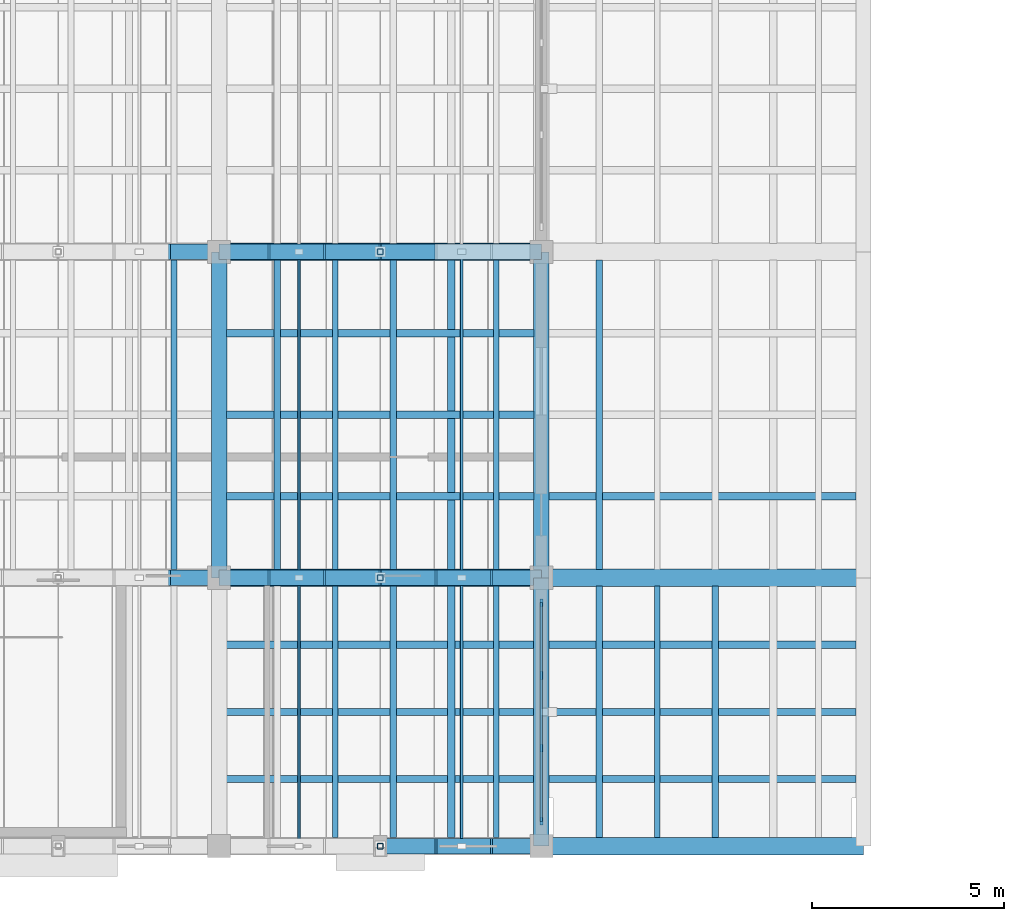
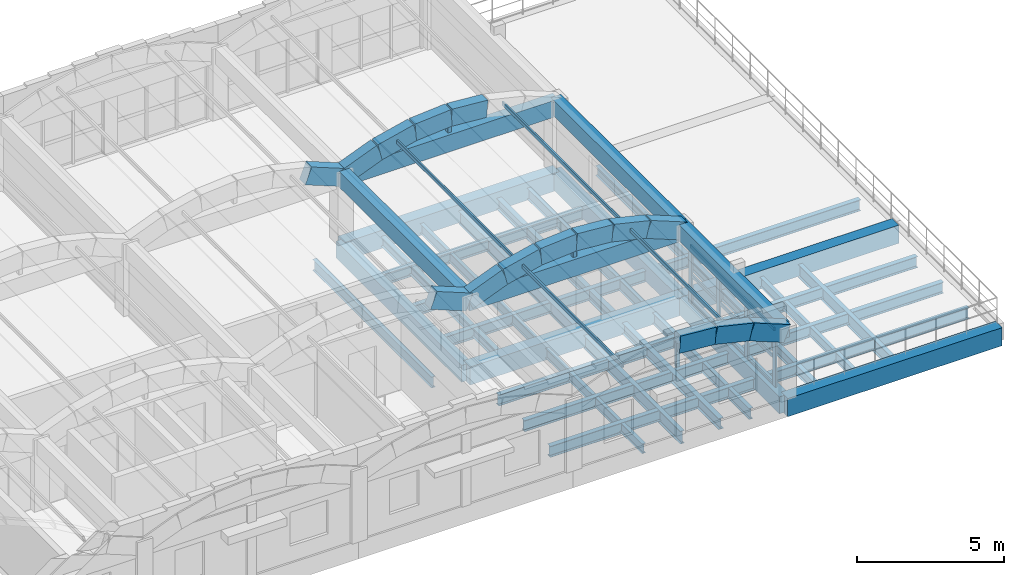
# One storey, part 14 of 40: 36 beams, 29 members, 1 element without a shape of its own.
"""IFC4 building model written with IfcOpenShell, lengths in metres."""

from ifc_helpers import new_model, si_unit, direction, frame, origin, origin_2d, place, context, subcontext, project, spatial, rectangle, hollow_rectangle, i_section, extrude, material, layer, layer_set, material_profile, profile_set, type_object, element, aggregate, save


model = new_model("IFC4")

# Units and contexts
model_context = context("Model", 3, precision=1e-05, world=origin(), true_north=direction((0.0, 1.0)))
body_context = subcontext(model_context, "Body", "Model", "MODEL_VIEW")
ifc_project = project(units=[si_unit("LENGTHUNIT", "METRE"), si_unit("AREAUNIT", "SQUARE_METRE"), si_unit("VOLUMEUNIT", "CUBIC_METRE"), si_unit("PLANEANGLEUNIT", "RADIAN"), si_unit("MASSUNIT", "GRAM", prefix="KILO")], contexts=[model_context])

# Site, building, storey
site_placement = place(None, origin())
site = spatial("IfcSite", under=ifc_project, at=site_placement, CompositionType="ELEMENT")
building_placement = place(site_placement, origin())
building = spatial("IfcBuilding", under=site, at=building_placement, Name="Trellovar Central Fire Station", CompositionType="ELEMENT")
storey_placement = place(building_placement, frame((0.0, 0.0, 12.75)))
storey = spatial("IfcBuildingStorey", under=building, at=storey_placement, Name="L04", CompositionType="ELEMENT", Elevation=12.75)

# Beams
ifc_material_1 = material(Name="Concrete C40/50", Category="concrete")
ifc_material_profile_1 = material_profile(ifc_material_1, rectangle(XDim=0.449951171875, YDim=0.75, at=origin_2d()), Name="RC450X750")
ifc_profile_set_1 = profile_set([ifc_material_profile_1], Name="Concrete C40/50")
beam_type_1 = type_object("IfcBeamType", Name="BM-G2", PredefinedType="BEAM", material=ifc_profile_set_1)
beam_1_placement = place(storey_placement, frame((139.10009765625, 9.0, -0.375), z_axis=(1.0, 0.0, 0.0), x_axis=(0.0, 1.0, 0.0)))
element("IfcBeam", 1, at=beam_1_placement, inside=storey, type_object=beam_type_1, Name="L04 beam G-2", PredefinedType="BEAM", context=body_context, shape_type="SweptSolid", body=[
    extrude(rectangle(XDim=0.449951171875, YDim=0.75, at=origin_2d()), origin(), (0.0, 0.0, 1.0), 8.39990234375),
])
beam_2_placement = place(storey_placement, frame((130.699951171875, 16.0, -0.375), z_axis=(1.0, 0.0, 0.0), x_axis=(0.0, 1.0, 0.0)))
element("IfcBeam", 2, at=beam_2_placement, inside=storey, type_object=beam_type_1, Name="L04 beam G-2", PredefinedType="BEAM", context=body_context, shape_type="SweptSolid", body=[
    extrude(rectangle(XDim=0.449951171875, YDim=0.75, at=origin_2d()), origin(), (0.0, 0.0, 1.0), 8.400146484375),
])
beam_3_placement = place(storey_placement, frame((139.10009765625, 16.0, -0.375), z_axis=(1.0, 0.0, 0.0), x_axis=(0.0, 1.0, 0.0)))
element("IfcBeam", 3, at=beam_3_placement, inside=storey, type_object=beam_type_1, Name="L04 beam G-2", PredefinedType="BEAM", context=body_context, shape_type="SweptSolid", body=[
    extrude(rectangle(XDim=0.449951171875, YDim=0.75, at=origin_2d()), origin(), (0.0, 0.0, 1.0), 8.39990234375),
])
beam_4_placement = place(storey_placement, frame((130.699951171875, 24.5, -0.375), z_axis=(1.0, 0.0, 0.0), x_axis=(0.0, 1.0, 0.0)))
element("IfcBeam", 4, at=beam_4_placement, inside=storey, type_object=beam_type_1, Name="L04 beam G-2", PredefinedType="BEAM", context=body_context, shape_type="SweptSolid", body=[
    extrude(rectangle(XDim=0.449951171875, YDim=0.75, at=origin_2d()), origin(), (0.0, 0.0, 1.0), 8.400146484375),
])
ifc_material_2 = material(Name="Concrete C40/50", Category="concrete")
ifc_material_profile_2 = material_profile(ifc_material_2, rectangle(XDim=0.39990234375, YDim=0.699951171875, at=origin_2d()), Name="RC400X700")
ifc_profile_set_2 = profile_set([ifc_material_profile_2], Name="Concrete C40/50")
beam_type_2 = type_object("IfcBeamType", Name="BM-G3", PredefinedType="BEAM", material=ifc_profile_set_2)
beam_5_placement = place(storey_placement, frame((130.699951171875, 16.0, -0.35009765625), z_axis=(0.0, 1.0, 0.0), x_axis=(-1.0, 0.0, 0.0)))
element("IfcBeam", 5, at=beam_5_placement, inside=storey, type_object=beam_type_2, Name="L04 beam G-3", PredefinedType="BEAM", context=body_context, shape_type="SweptSolid", body=[
    extrude(rectangle(XDim=0.39990234375, YDim=0.699951171875, at=origin_2d()), origin(), (0.0, 0.0, 1.0), 8.5),
])
beam_6_placement = place(storey_placement, frame((139.10009765625, 9.0, -0.35009765625), z_axis=(0.0, 1.0, 0.0), x_axis=(-1.0, 0.0, 0.0)))
element("IfcBeam", 6, at=beam_6_placement, inside=storey, type_object=beam_type_2, Name="L04 beam G-3", PredefinedType="BEAM", context=body_context, shape_type="SweptSolid", body=[
    extrude(rectangle(XDim=0.39990234375, YDim=0.699951171875, at=origin_2d()), origin(), (0.0, 0.0, 1.0), 7.0),
])
beam_7_placement = place(storey_placement, frame((139.10009765625, 16.0, -0.35009765625), z_axis=(0.0, 1.0, 0.0), x_axis=(-1.0, 0.0, 0.0)))
element("IfcBeam", 7, at=beam_7_placement, inside=storey, type_object=beam_type_2, Name="L04 beam G-3", PredefinedType="BEAM", context=body_context, shape_type="SweptSolid", body=[
    extrude(rectangle(XDim=0.39990234375, YDim=0.699951171875, at=origin_2d()), origin(), (0.0, 0.0, 1.0), 8.5),
])
for number, where, z_axis, x_axis, name in (
    (8, (130.699951171875, 16.0, 2.64990234375), (1.0, 0.0, 0.0), (0.0, 1.0, 0.0), "L04 beam G-3"),
    (9, (130.699951171875, 24.5, 2.64990234375), (1.0, 0.0, 0.0), (0.0, 1.0, 0.0), "L04 beam G-3"),
):
    element("IfcBeam", number, at=place(storey_placement, frame(where, z_axis=z_axis, x_axis=x_axis)), inside=storey, type_object=beam_type_2, Name=name, PredefinedType="BEAM", context=body_context, shape_type="SweptSolid", body=[
        extrude(rectangle(XDim=0.39990234375, YDim=0.699951171875, at=origin_2d()), origin(), (0.0, 0.0, 1.0), 8.400146484375),
    ])
ifc_material_3 = material(Name="Concrete C40/50", Category="concrete")
ifc_material_profile_3 = material_profile(ifc_material_3, rectangle(XDim=0.39990234375, YDim=0.64990234375, at=origin_2d()), Name="RC400X650")
ifc_profile_set_3 = profile_set([ifc_material_profile_3], Name="Concrete C40/50")
beam_type_3 = type_object("IfcBeamType", Name="BM-G4", PredefinedType="BEAM", material=ifc_profile_set_3)
beam_8_placement = place(storey_placement, frame((130.699951171875, 16.0, 2.675048828125), z_axis=(0.0, 1.0, 0.0), x_axis=(-1.0, 0.0, 0.0)))
element("IfcBeam", 10, at=beam_8_placement, inside=storey, type_object=beam_type_3, Name="L04 beam G-4", PredefinedType="BEAM", context=body_context, shape_type="SweptSolid", body=[
    extrude(rectangle(XDim=0.39990234375, YDim=0.64990234375, at=origin_2d()), origin(), (0.0, 0.0, 1.0), 8.5),
])
beam_9_placement = place(storey_placement, frame((139.10009765625, 9.0, 2.675048828125), z_axis=(0.0, 1.0, 0.0), x_axis=(-1.0, 0.0, 0.0)))
element("IfcBeam", 11, at=beam_9_placement, inside=storey, type_object=beam_type_3, Name="L04 beam G-4", PredefinedType="BEAM", context=body_context, shape_type="SweptSolid", body=[
    extrude(rectangle(XDim=0.39990234375, YDim=0.64990234375, at=origin_2d()), origin(), (0.0, 0.0, 1.0), 7.0),
])
beam_10_placement = place(storey_placement, frame((139.10009765625, 16.0, 2.675048828125), z_axis=(0.0, 1.0, 0.0), x_axis=(-1.0, 0.0, 0.0)))
element("IfcBeam", 12, at=beam_10_placement, inside=storey, type_object=beam_type_3, Name="L04 beam G-4", PredefinedType="BEAM", context=body_context, shape_type="SweptSolid", body=[
    extrude(rectangle(XDim=0.39990234375, YDim=0.64990234375, at=origin_2d()), origin(), (0.0, 0.0, 1.0), 8.5),
])
ifc_material_4 = material(Name="Steel ASTM A992 Grade 50", Category="steel")
ifc_material_profile_4 = material_profile(ifc_material_4, i_section(OverallWidth=0.15283203125, OverallDepth=0.45458984375, WebThickness=0.008056640625, FlangeThickness=0.01318359375, FilletRadius=0.0126953125, at=origin_2d()), Name="W18X40")
ifc_profile_set_4 = profile_set([ifc_material_profile_4], Name="Steel ASTM A992 Grade 50")
beam_type_4 = type_object("IfcBeamType", Name="BM-SW10", PredefinedType="JOIST", material=ifc_profile_set_4)
beam_11_placement = place(storey_placement, frame((129.52392578125, 16.219970703125, -0.477294921875), z_axis=(0.0, 1.0, 0.0), x_axis=(-1.0, 0.0, 0.0)))
element("IfcBeam", 13, at=beam_11_placement, inside=storey, type_object=beam_type_4, Name="L04 secondary steel deck joist", PredefinedType="JOIST", context=body_context, shape_type="SweptSolid", body=[
    extrude(i_section(OverallWidth=0.15283203125, OverallDepth=0.45458984375, WebThickness=0.008056640625, FlangeThickness=0.01318359375, FilletRadius=0.0126953125, at=origin_2d()), origin(), (0.0, 0.0, 1.0), 8.06005859375),
])
beam_12_placement = place(storey_placement, frame((137.924072265625, 9.219970703125, -0.477294921875), z_axis=(0.0, 1.0, 0.0), x_axis=(-1.0, 0.0, 0.0)))
element("IfcBeam", 14, at=beam_12_placement, inside=storey, type_object=beam_type_4, Name="L04 secondary steel deck joist", PredefinedType="JOIST", context=body_context, shape_type="SweptSolid", body=[
    extrude(i_section(OverallWidth=0.15283203125, OverallDepth=0.45458984375, WebThickness=0.008056640625, FlangeThickness=0.01318359375, FilletRadius=0.0126953125, at=origin_2d()), origin(), (0.0, 0.0, 1.0), 6.56005859375),
])
beam_13_placement = place(storey_placement, frame((137.924072265625, 16.219970703125, -0.477294921875), z_axis=(0.0, 1.0, 0.0), x_axis=(-1.0, 0.0, 0.0)))
element("IfcBeam", 15, at=beam_13_placement, inside=storey, type_object=beam_type_4, Name="L04 secondary steel deck joist", PredefinedType="JOIST", context=body_context, shape_type="SweptSolid", body=[
    extrude(i_section(OverallWidth=0.15283203125, OverallDepth=0.45458984375, WebThickness=0.008056640625, FlangeThickness=0.01318359375, FilletRadius=0.0126953125, at=origin_2d()), origin(), (0.0, 0.0, 1.0), 8.06005859375),
])
ifc_material_5 = material(Name="Steel ASTM A992 Grade 50", Category="steel")
ifc_material_profile_5 = material_profile(ifc_material_5, i_section(OverallWidth=0.177490234375, OverallDepth=0.40380859375, WebThickness=0.007568359375, FlangeThickness=0.010986328125, FilletRadius=0.011474609375, at=origin_2d()), Name="W16X36")
ifc_profile_set_5 = profile_set([ifc_material_profile_5], Name="Steel ASTM A992 Grade 50")
beam_type_5 = type_object("IfcBeamType", Name="BM-SW11", PredefinedType="JOIST", material=ifc_profile_set_5)
beam_14_placement = place(storey_placement, frame((132.2119140625, 16.219970703125, -0.451904296875), z_axis=(0.0, 1.0, 0.0), x_axis=(-1.0, 0.0, 0.0)))
element("IfcBeam", 16, at=beam_14_placement, inside=storey, type_object=beam_type_5, Name="L04 secondary steel deck joist", PredefinedType="JOIST", context=body_context, shape_type="SweptSolid", body=[
    extrude(i_section(OverallWidth=0.177490234375, OverallDepth=0.40380859375, WebThickness=0.007568359375, FlangeThickness=0.010986328125, FilletRadius=0.011474609375, at=origin_2d()), origin(), (0.0, 0.0, 1.0), 8.06005859375),
])
beam_15_placement = place(storey_placement, frame((140.612060546875, 9.219970703125, -0.451904296875), z_axis=(0.0, 1.0, 0.0), x_axis=(-1.0, 0.0, 0.0)))
element("IfcBeam", 17, at=beam_15_placement, inside=storey, type_object=beam_type_5, Name="L04 secondary steel deck joist", PredefinedType="JOIST", context=body_context, shape_type="SweptSolid", body=[
    extrude(i_section(OverallWidth=0.177490234375, OverallDepth=0.40380859375, WebThickness=0.007568359375, FlangeThickness=0.010986328125, FilletRadius=0.011474609375, at=origin_2d()), origin(), (0.0, 0.0, 1.0), 6.56005859375),
])
beam_16_placement = place(storey_placement, frame((140.612060546875, 16.219970703125, -0.451904296875), z_axis=(0.0, 1.0, 0.0), x_axis=(-1.0, 0.0, 0.0)))
element("IfcBeam", 18, at=beam_16_placement, inside=storey, type_object=beam_type_5, Name="L04 secondary steel deck joist", PredefinedType="JOIST", context=body_context, shape_type="SweptSolid", body=[
    extrude(i_section(OverallWidth=0.177490234375, OverallDepth=0.40380859375, WebThickness=0.007568359375, FlangeThickness=0.010986328125, FilletRadius=0.011474609375, at=origin_2d()), origin(), (0.0, 0.0, 1.0), 8.06005859375),
])
ifc_material_6 = material(Name="Steel ASTM A992 Grade 50", Category="steel")
ifc_material_profile_6 = material_profile(ifc_material_6, i_section(OverallWidth=0.140380859375, OverallDepth=0.4033203125, WebThickness=0.007080078125, FlangeThickness=0.01123046875, FilletRadius=0.011474609375, at=origin_2d()), Name="W16X31")
ifc_profile_set_6 = profile_set([ifc_material_profile_6], Name="Steel ASTM A992 Grade 50")
beam_type_6 = type_object("IfcBeamType", Name="BM-SW12", PredefinedType="JOIST", material=ifc_profile_set_6)
beam_17_placement = place(storey_placement, frame((133.72412109375, 9.219970703125, -0.45166015625), z_axis=(0.0, 1.0, 0.0), x_axis=(-1.0, 0.0, 0.0)))
element("IfcBeam", 19, at=beam_17_placement, inside=storey, type_object=beam_type_6, Name="L04 secondary steel deck joist", PredefinedType="JOIST", context=body_context, shape_type="SweptSolid", body=[
    extrude(i_section(OverallWidth=0.140380859375, OverallDepth=0.4033203125, WebThickness=0.007080078125, FlangeThickness=0.01123046875, FilletRadius=0.011474609375, at=origin_2d()), origin(), (0.0, 0.0, 1.0), 6.56005859375),
])
beam_18_placement = place(storey_placement, frame((133.72412109375, 16.219970703125, -0.45166015625), z_axis=(0.0, 1.0, 0.0), x_axis=(-1.0, 0.0, 0.0)))
element("IfcBeam", 20, at=beam_18_placement, inside=storey, type_object=beam_type_6, Name="L04 secondary steel deck joist", PredefinedType="JOIST", context=body_context, shape_type="SweptSolid", body=[
    extrude(i_section(OverallWidth=0.140380859375, OverallDepth=0.4033203125, WebThickness=0.007080078125, FlangeThickness=0.01123046875, FilletRadius=0.011474609375, at=origin_2d()), origin(), (0.0, 0.0, 1.0), 8.06005859375),
])
beam_19_placement = place(storey_placement, frame((142.1240234375, 9.219970703125, -0.45166015625), z_axis=(0.0, 1.0, 0.0), x_axis=(-1.0, 0.0, 0.0)))
element("IfcBeam", 21, at=beam_19_placement, inside=storey, type_object=beam_type_6, Name="L04 secondary steel deck joist", PredefinedType="JOIST", context=body_context, shape_type="SweptSolid", body=[
    extrude(i_section(OverallWidth=0.140380859375, OverallDepth=0.4033203125, WebThickness=0.007080078125, FlangeThickness=0.01123046875, FilletRadius=0.011474609375, at=origin_2d()), origin(), (0.0, 0.0, 1.0), 6.56005859375),
])
ifc_material_7 = material(Name="Steel ASTM A992 Grade 50", Category="steel")
ifc_material_profile_7 = material_profile(ifc_material_7, i_section(OverallWidth=0.166015625, OverallDepth=0.529052734375, WebThickness=0.009765625, FlangeThickness=0.013671875, FilletRadius=0.013916015625, at=origin_2d()), Name="W21X50")
ifc_profile_set_7 = profile_set([ifc_material_profile_7], Name="Steel ASTM A992 Grade 50")
beam_type_7 = type_object("IfcBeamType", Name="BM-SW8", PredefinedType="JOIST", material=ifc_profile_set_7)
beam_20_placement = place(storey_placement, frame((135.236083984375, 9.219970703125, -0.514404296875), z_axis=(0.0, 1.0, 0.0), x_axis=(-1.0, 0.0, 0.0)))
element("IfcBeam", 22, at=beam_20_placement, inside=storey, type_object=beam_type_7, Name="L04 secondary steel deck joist", PredefinedType="JOIST", context=body_context, shape_type="SweptSolid", body=[
    extrude(i_section(OverallWidth=0.166015625, OverallDepth=0.529052734375, WebThickness=0.009765625, FlangeThickness=0.013671875, FilletRadius=0.013916015625, at=origin_2d()), origin(), (0.0, 0.0, 1.0), 6.56005859375),
])
beam_21_placement = place(storey_placement, frame((135.236083984375, 16.219970703125, -0.514404296875), z_axis=(0.0, 1.0, 0.0), x_axis=(-1.0, 0.0, 0.0)))
element("IfcBeam", 23, at=beam_21_placement, inside=storey, type_object=beam_type_7, Name="L04 secondary steel deck joist", PredefinedType="JOIST", context=body_context, shape_type="SweptSolid", body=[
    extrude(i_section(OverallWidth=0.166015625, OverallDepth=0.529052734375, WebThickness=0.009765625, FlangeThickness=0.013671875, FilletRadius=0.013916015625, at=origin_2d()), origin(), (0.0, 0.0, 1.0), 8.06005859375),
])
beam_22_placement = place(storey_placement, frame((143.635986328125, 9.219970703125, -0.514404296875), z_axis=(0.0, 1.0, 0.0), x_axis=(-1.0, 0.0, 0.0)))
element("IfcBeam", 24, at=beam_22_placement, inside=storey, type_object=beam_type_7, Name="L04 secondary steel deck joist", PredefinedType="JOIST", context=body_context, shape_type="SweptSolid", body=[
    extrude(i_section(OverallWidth=0.166015625, OverallDepth=0.529052734375, WebThickness=0.009765625, FlangeThickness=0.013671875, FilletRadius=0.013916015625, at=origin_2d()), origin(), (0.0, 0.0, 1.0), 6.56005859375),
])
ifc_material_8 = material(Name="Steel ASTM A992 Grade 50", Category="steel")
ifc_material_profile_8 = material_profile(ifc_material_8, i_section(OverallWidth=0.1904296875, OverallDepth=0.457275390625, WebThickness=0.009033203125, FlangeThickness=0.014404296875, FilletRadius=0.0126953125, at=origin_2d()), Name="W18X50")
ifc_profile_set_8 = profile_set([ifc_material_profile_8], Name="Steel ASTM A992 Grade 50")
beam_type_8 = type_object("IfcBeamType", Name="BM-SW9", PredefinedType="JOIST", material=ifc_profile_set_8)
for number, where, z_axis, x_axis, name in (
    (25, (130.89501953125, 10.75, -0.478515625), (1.0, 0.0, 0.0), (0.0, 1.0, 0.0), "L04 beam SB-9"),
    (26, (130.89501953125, 12.5, -0.478515625), (1.0, 0.0, 0.0), (0.0, 1.0, 0.0), "L04 beam SB-9"),
    (27, (130.89501953125, 14.25, -0.478515625), (1.0, 0.0, 0.0), (0.0, 1.0, 0.0), "L04 beam SB-9"),
    (28, (130.89501953125, 18.125, -0.478515625), (1.0, 0.0, 0.0), (0.0, 1.0, 0.0), "L04 beam SB-9"),
    (29, (130.89501953125, 20.25, -0.478515625), (1.0, 0.0, 0.0), (0.0, 1.0, 0.0), "L04 beam SB-9"),
    (30, (130.89501953125, 22.375, -0.478515625), (1.0, 0.0, 0.0), (0.0, 1.0, 0.0), "L04 beam SB-9"),
    (31, (139.294921875, 10.75, -0.478515625), (1.0, 0.0, 0.0), (0.0, 1.0, 0.0), "L04 beam SB-9"),
    (32, (139.294921875, 12.5, -0.478515625), (1.0, 0.0, 0.0), (0.0, 1.0, 0.0), "L04 beam SB-9"),
    (33, (139.294921875, 14.25, -0.478515625), (1.0, 0.0, 0.0), (0.0, 1.0, 0.0), "L04 beam SB-9"),
    (34, (139.294921875, 18.125, -0.478515625), (1.0, 0.0, 0.0), (0.0, 1.0, 0.0), "L04 beam SB-9"),
):
    element("IfcBeam", number, at=place(storey_placement, frame(where, z_axis=z_axis, x_axis=x_axis)), inside=storey, type_object=beam_type_8, Name=name, PredefinedType="JOIST", context=body_context, shape_type="SweptSolid", body=[
        extrude(i_section(OverallWidth=0.1904296875, OverallDepth=0.457275390625, WebThickness=0.009033203125, FlangeThickness=0.014404296875, FilletRadius=0.0126953125, at=origin_2d()), origin(), (0.0, 0.0, 1.0), 8.010009765625),
    ])
beam_23_placement = place(storey_placement, frame((136.748046875, 9.219970703125, -0.478515625), z_axis=(0.0, 1.0, 0.0), x_axis=(-1.0, 0.0, 0.0)))
element("IfcBeam", 35, at=beam_23_placement, inside=storey, type_object=beam_type_8, Name="L04 secondary steel deck joist", PredefinedType="JOIST", context=body_context, shape_type="SweptSolid", body=[
    extrude(i_section(OverallWidth=0.1904296875, OverallDepth=0.457275390625, WebThickness=0.009033203125, FlangeThickness=0.014404296875, FilletRadius=0.0126953125, at=origin_2d()), origin(), (0.0, 0.0, 1.0), 6.56005859375),
])
beam_24_placement = place(storey_placement, frame((136.748046875, 16.219970703125, -0.478515625), z_axis=(0.0, 1.0, 0.0), x_axis=(-1.0, 0.0, 0.0)))
element("IfcBeam", 36, at=beam_24_placement, inside=storey, type_object=beam_type_8, Name="L04 secondary steel deck joist", PredefinedType="JOIST", context=body_context, shape_type="SweptSolid", body=[
    extrude(i_section(OverallWidth=0.1904296875, OverallDepth=0.457275390625, WebThickness=0.009033203125, FlangeThickness=0.014404296875, FilletRadius=0.0126953125, at=origin_2d()), origin(), (0.0, 0.0, 1.0), 8.06005859375),
])

# Curtain wall, members
ifc_material_9 = material(Name="Thermally broken bronze anodized aluminum", Category="aluminium")
ifc_layer = layer(ifc_material_9, 0.159912109375)
ifc_layer_set = layer_set([ifc_layer], Name="Thermally broken bronze anodized aluminum")
curtain_wall_type = type_object("IfcCurtainWallType", Name="CW-01", PredefinedType="NOTDEFINED", material=ifc_layer_set)
curtain_wall_placement = place(storey_placement, origin())
curtain_wall = element("IfcCurtainWall", 37, at=curtain_wall_placement, inside=storey, type_object=curtain_wall_type, Name="L04 curtain wall CW-1", PredefinedType="NOTDEFINED")
ifc_material_10 = material(Name="Thermally broken bronze anodized aluminum", Category="aluminium")
ifc_material_profile_9 = material_profile(ifc_material_10, rectangle(XDim=0.074951171875, YDim=0.199951171875, at=origin_2d()), Name="ALU75X200")
ifc_profile_set_9 = profile_set([ifc_material_profile_9], Name="Thermally broken bronze anodized aluminum")
member_type_1 = type_object("IfcMemberType", Name="CWM-1", PredefinedType="MULLION", material=ifc_profile_set_9)
member_1_placement = place(storey_placement, frame((139.10009765625, 9.64990234375, 0.0), z_axis=(0.0, 0.0, 1.0), x_axis=(1.0, 0.0, 0.0)))
member_1 = element("IfcMember", 38, at=member_1_placement, type_object=member_type_1, Name="CW3-L04-0102 mullion 1", PredefinedType="MULLION", context=body_context, shape_type="SweptSolid", body=[
    extrude(rectangle(XDim=0.074951171875, YDim=0.199951171875, at=origin_2d()), origin(), (0.0, 0.0, 1.0), 2.340087890625),
])
member_2_placement = place(storey_placement, frame((139.10009765625, 11.550048828125, 0.0), z_axis=(0.0, 0.0, 1.0), x_axis=(1.0, 0.0, 0.0)))
member_2 = element("IfcMember", 39, at=member_2_placement, type_object=member_type_1, Name="CW3-L04-0102 mullion 2", PredefinedType="MULLION", context=body_context, shape_type="SweptSolid", body=[
    extrude(rectangle(XDim=0.074951171875, YDim=0.199951171875, at=origin_2d()), origin(), (0.0, 0.0, 1.0), 2.340087890625),
])
member_3_placement = place(storey_placement, frame((139.10009765625, 13.449951171875, 0.0), z_axis=(0.0, 0.0, 1.0), x_axis=(1.0, 0.0, 0.0)))
member_3 = element("IfcMember", 40, at=member_3_placement, type_object=member_type_1, Name="CW3-L04-0102 mullion 3", PredefinedType="MULLION", context=body_context, shape_type="SweptSolid", body=[
    extrude(rectangle(XDim=0.074951171875, YDim=0.199951171875, at=origin_2d()), origin(), (0.0, 0.0, 1.0), 2.340087890625),
])
member_4_placement = place(storey_placement, frame((139.10009765625, 15.35009765625, 0.0), z_axis=(0.0, 0.0, 1.0), x_axis=(1.0, 0.0, 0.0)))
member_4 = element("IfcMember", 41, at=member_4_placement, type_object=member_type_1, Name="CW3-L04-0102 mullion 4", PredefinedType="MULLION", context=body_context, shape_type="SweptSolid", body=[
    extrude(rectangle(XDim=0.074951171875, YDim=0.199951171875, at=origin_2d()), origin(), (0.0, 0.0, 1.0), 2.340087890625),
])
ifc_material_11 = material(Name="Thermally broken bronze anodized aluminum", Category="aluminium")
ifc_material_profile_10 = material_profile(ifc_material_11, rectangle(XDim=0.06005859375, YDim=0.139892578125, at=origin_2d()), Name="ALU60X140")
ifc_profile_set_10 = profile_set([ifc_material_profile_10], Name="Thermally broken bronze anodized aluminum")
member_type_2 = type_object("IfcMemberType", Name="CWT-1", PredefinedType="USERDEFINED", material=ifc_profile_set_10)
member_5_placement = place(storey_placement, frame((139.10009765625, 9.64990234375, 0.0), z_axis=(0.0, 1.0, 0.0), x_axis=(-1.0, 0.0, 0.0)))
member_5 = element("IfcMember", 42, at=member_5_placement, type_object=member_type_2, Name="CW3-L04-0102 transom 1", ObjectType="TRANSOM", PredefinedType="USERDEFINED", context=body_context, shape_type="SweptSolid", body=[
    extrude(rectangle(XDim=0.06005859375, YDim=0.139892578125, at=origin_2d()), origin(), (0.0, 0.0, 1.0), 5.7001953125),
])
member_6_placement = place(storey_placement, frame((139.10009765625, 9.64990234375, 1.169921875), z_axis=(0.0, 1.0, 0.0), x_axis=(-1.0, 0.0, 0.0)))
member_6 = element("IfcMember", 43, at=member_6_placement, type_object=member_type_2, Name="CW3-L04-0102 transom 2", ObjectType="TRANSOM", PredefinedType="USERDEFINED", context=body_context, shape_type="SweptSolid", body=[
    extrude(rectangle(XDim=0.06005859375, YDim=0.139892578125, at=origin_2d()), origin(), (0.0, 0.0, 1.0), 5.7001953125),
])
member_7_placement = place(storey_placement, frame((139.10009765625, 9.64990234375, 2.340087890625), z_axis=(0.0, 1.0, 0.0), x_axis=(-1.0, 0.0, 0.0)))
member_7 = element("IfcMember", 44, at=member_7_placement, type_object=member_type_2, Name="CW3-L04-0102 transom 3", ObjectType="TRANSOM", PredefinedType="USERDEFINED", context=body_context, shape_type="SweptSolid", body=[
    extrude(rectangle(XDim=0.06005859375, YDim=0.139892578125, at=origin_2d()), origin(), (0.0, 0.0, 1.0), 5.7001953125),
])
aggregate(curtain_wall, [member_1, member_2, member_3, member_4, member_5, member_6, member_7])

# Members
ifc_material_12 = material(Name="Concrete C40/50", Category="concrete")
ifc_material_profile_11 = material_profile(ifc_material_12, rectangle(XDim=0.39990234375, YDim=0.699951171875, at=origin_2d()), Name="RC400X700")
ifc_profile_set_11 = profile_set([ifc_material_profile_11], Name="Concrete C40/50")
member_type_3 = type_object("IfcMemberType", Name="MEM-LR1", PredefinedType="CHORD", material=ifc_profile_set_11)
for number, where, z_axis, x_axis, name in (
    (45, (129.300048828125, 16.0, 3.235595703125), (0.929457187308, 0.0, -0.368929989242), (0.0, 1.0, 0.0), "V5 Catalan vault rib 3 chord 6"),
    (46, (129.300048828125, 24.5, 3.235595703125), (0.929457187308, 0.0, -0.368929989242), (0.0, 1.0, 0.0), "V5 Catalan vault rib 3 chord 6"),
):
    element("IfcMember", number, at=place(storey_placement, frame(where, z_axis=z_axis, x_axis=x_axis)), inside=storey, type_object=member_type_3, Name=name, PredefinedType="CHORD", context=body_context, shape_type="SweptSolid", body=[
        extrude(rectangle(XDim=0.39990234375, YDim=0.699951171875, at=origin_2d()), origin(), (0.0, 0.0, 1.0), 1.506103515625),
    ])
member_8_placement = place(storey_placement, frame((134.89990234375, 9.0, 3.679931640625), z_axis=(0.996867568235, 0.0, -0.07908888292), x_axis=(0.0, 1.0, 0.0)))
element("IfcMember", 47, at=member_8_placement, inside=storey, type_object=member_type_3, Name="V5 Catalan vault rib 4 chord 4", PredefinedType="CHORD", context=body_context, shape_type="SweptSolid", body=[
    extrude(rectangle(XDim=0.39990234375, YDim=0.699951171875, at=origin_2d()), origin(), (0.0, 0.0, 1.0), 1.404541015625),
])
member_9_placement = place(storey_placement, frame((136.300048828125, 9.0, 3.56884765625), z_axis=(0.972815315724, 0.0, -0.23158229961), x_axis=(0.0, 1.0, 0.0)))
element("IfcMember", 48, at=member_9_placement, inside=storey, type_object=member_type_3, Name="V5 Catalan vault rib 4 chord 5", PredefinedType="CHORD", context=body_context, shape_type="SweptSolid", body=[
    extrude(rectangle(XDim=0.39990234375, YDim=0.699951171875, at=origin_2d()), origin(), (0.0, 0.0, 1.0), 1.43896484375),
])
for number, where, z_axis, x_axis, name in (
    (49, (137.699951171875, 9.0, 3.235595703125), (0.929479245072, 0.0, -0.368874413563), (0.0, 1.0, 0.0), "V5 Catalan vault rib 4 chord 6"),
    (50, (130.699951171875, 16.0, 2.679931640625), (0.929479245072, 0.0, 0.368874413563), (0.0, 1.0, 0.0), "V5 Catalan vault rib 4 chord 1"),
):
    element("IfcMember", number, at=place(storey_placement, frame(where, z_axis=z_axis, x_axis=x_axis)), inside=storey, type_object=member_type_3, Name=name, PredefinedType="CHORD", context=body_context, shape_type="SweptSolid", body=[
        extrude(rectangle(XDim=0.39990234375, YDim=0.699951171875, at=origin_2d()), origin(), (0.0, 0.0, 1.0), 1.50634765625),
    ])
member_10_placement = place(storey_placement, frame((132.10009765625, 16.0, 3.235595703125), z_axis=(0.972815315724, 0.0, 0.23158229961), x_axis=(0.0, 1.0, 0.0)))
element("IfcMember", 51, at=member_10_placement, inside=storey, type_object=member_type_3, Name="V5 Catalan vault rib 4 chord 2", PredefinedType="CHORD", context=body_context, shape_type="SweptSolid", body=[
    extrude(rectangle(XDim=0.39990234375, YDim=0.699951171875, at=origin_2d()), origin(), (0.0, 0.0, 1.0), 1.43896484375),
])
member_11_placement = place(storey_placement, frame((133.5, 16.0, 3.56884765625), z_axis=(0.996866480688, 0.0, 0.079102589591), x_axis=(0.0, 1.0, 0.0)))
element("IfcMember", 52, at=member_11_placement, inside=storey, type_object=member_type_3, Name="V5 Catalan vault rib 4 chord 3", PredefinedType="CHORD", context=body_context, shape_type="SweptSolid", body=[
    extrude(rectangle(XDim=0.39990234375, YDim=0.699951171875, at=origin_2d()), origin(), (0.0, 0.0, 1.0), 1.404296875),
])
member_12_placement = place(storey_placement, frame((134.89990234375, 16.0, 3.679931640625), z_axis=(0.996867568235, 0.0, -0.07908888292), x_axis=(0.0, 1.0, 0.0)))
element("IfcMember", 53, at=member_12_placement, inside=storey, type_object=member_type_3, Name="V5 Catalan vault rib 4 chord 4", PredefinedType="CHORD", context=body_context, shape_type="SweptSolid", body=[
    extrude(rectangle(XDim=0.39990234375, YDim=0.699951171875, at=origin_2d()), origin(), (0.0, 0.0, 1.0), 1.404541015625),
])
member_13_placement = place(storey_placement, frame((136.300048828125, 16.0, 3.56884765625), z_axis=(0.972815315724, 0.0, -0.23158229961), x_axis=(0.0, 1.0, 0.0)))
element("IfcMember", 54, at=member_13_placement, inside=storey, type_object=member_type_3, Name="V5 Catalan vault rib 4 chord 5", PredefinedType="CHORD", context=body_context, shape_type="SweptSolid", body=[
    extrude(rectangle(XDim=0.39990234375, YDim=0.699951171875, at=origin_2d()), origin(), (0.0, 0.0, 1.0), 1.43896484375),
])
for number, where, z_axis, x_axis, name in (
    (55, (137.699951171875, 16.0, 3.235595703125), (0.929479245072, 0.0, -0.368874413563), (0.0, 1.0, 0.0), "V5 Catalan vault rib 4 chord 6"),
    (56, (130.699951171875, 24.5, 2.679931640625), (0.929479245072, 0.0, 0.368874413563), (0.0, 1.0, 0.0), "V5 Catalan vault rib 4 chord 1"),
):
    element("IfcMember", number, at=place(storey_placement, frame(where, z_axis=z_axis, x_axis=x_axis)), inside=storey, type_object=member_type_3, Name=name, PredefinedType="CHORD", context=body_context, shape_type="SweptSolid", body=[
        extrude(rectangle(XDim=0.39990234375, YDim=0.699951171875, at=origin_2d()), origin(), (0.0, 0.0, 1.0), 1.50634765625),
    ])
member_14_placement = place(storey_placement, frame((132.10009765625, 24.5, 3.235595703125), z_axis=(0.972815315724, 0.0, 0.23158229961), x_axis=(0.0, 1.0, 0.0)))
element("IfcMember", 57, at=member_14_placement, inside=storey, type_object=member_type_3, Name="V5 Catalan vault rib 4 chord 2", PredefinedType="CHORD", context=body_context, shape_type="SweptSolid", body=[
    extrude(rectangle(XDim=0.39990234375, YDim=0.699951171875, at=origin_2d()), origin(), (0.0, 0.0, 1.0), 1.43896484375),
])
member_15_placement = place(storey_placement, frame((133.5, 24.5, 3.56884765625), z_axis=(0.996866480688, 0.0, 0.079102589591), x_axis=(0.0, 1.0, 0.0)))
element("IfcMember", 58, at=member_15_placement, inside=storey, type_object=member_type_3, Name="V5 Catalan vault rib 4 chord 3", PredefinedType="CHORD", context=body_context, shape_type="SweptSolid", body=[
    extrude(rectangle(XDim=0.39990234375, YDim=0.699951171875, at=origin_2d()), origin(), (0.0, 0.0, 1.0), 1.404296875),
])
member_16_placement = place(storey_placement, frame((134.89990234375, 24.5, 3.679931640625), z_axis=(0.996867568235, 0.0, -0.07908888292), x_axis=(0.0, 1.0, 0.0)))
element("IfcMember", 59, at=member_16_placement, inside=storey, type_object=member_type_3, Name="V5 Catalan vault rib 4 chord 4", PredefinedType="CHORD", context=body_context, shape_type="SweptSolid", body=[
    extrude(rectangle(XDim=0.39990234375, YDim=0.699951171875, at=origin_2d()), origin(), (0.0, 0.0, 1.0), 1.404541015625),
])
ifc_material_13 = material(Name="Steel ASTM A500 Grade C", Category="steel")
ifc_material_profile_12 = material_profile(ifc_material_13, hollow_rectangle(XDim=0.076171875, YDim=0.15234375, WallThickness=0.005859375, InnerFilletRadius=0.005859375, OuterFilletRadius=0.01171875, at=origin_2d()), Name="HSS6X3X1/4")
ifc_profile_set_12 = profile_set([ifc_material_profile_12], Name="Steel ASTM A500 Grade C")
member_type_4 = type_object("IfcMemberType", Name="MEM-PU2", PredefinedType="PURLIN", material=ifc_profile_set_12)
member_17_placement = place(storey_placement, frame((132.7802734375, 9.0, 3.4375), z_axis=(0.0, 1.0, 0.0), x_axis=(-1.0, 0.0, 0.0)))
element("IfcMember", 60, at=member_17_placement, inside=storey, type_object=member_type_4, Name="V5 vault purlin 4-2", PredefinedType="PURLIN", context=body_context, shape_type="SweptSolid", body=[
    extrude(hollow_rectangle(XDim=0.076171875, YDim=0.15234375, WallThickness=0.005859375, InnerFilletRadius=0.005859375, OuterFilletRadius=0.01171875, at=origin_2d()), origin(), (0.0, 0.0, 1.0), 7.0),
])
member_18_placement = place(storey_placement, frame((132.7802734375, 16.0, 3.4375), z_axis=(0.0, 1.0, 0.0), x_axis=(-1.0, 0.0, 0.0)))
element("IfcMember", 61, at=member_18_placement, inside=storey, type_object=member_type_4, Name="V5 vault purlin 4-2", PredefinedType="PURLIN", context=body_context, shape_type="SweptSolid", body=[
    extrude(hollow_rectangle(XDim=0.076171875, YDim=0.15234375, WallThickness=0.005859375, InnerFilletRadius=0.005859375, OuterFilletRadius=0.01171875, at=origin_2d()), origin(), (0.0, 0.0, 1.0), 8.5),
])
member_19_placement = place(storey_placement, frame((137.019775390625, 9.0, 3.4375), z_axis=(0.0, 1.0, 0.0), x_axis=(-1.0, 0.0, 0.0)))
element("IfcMember", 62, at=member_19_placement, inside=storey, type_object=member_type_4, Name="V5 vault purlin 4-5", PredefinedType="PURLIN", context=body_context, shape_type="SweptSolid", body=[
    extrude(hollow_rectangle(XDim=0.076171875, YDim=0.15234375, WallThickness=0.005859375, InnerFilletRadius=0.005859375, OuterFilletRadius=0.01171875, at=origin_2d()), origin(), (0.0, 0.0, 1.0), 7.0),
])
member_20_placement = place(storey_placement, frame((137.019775390625, 16.0, 3.4375), z_axis=(0.0, 1.0, 0.0), x_axis=(-1.0, 0.0, 0.0)))
element("IfcMember", 63, at=member_20_placement, inside=storey, type_object=member_type_4, Name="V5 vault purlin 4-5", PredefinedType="PURLIN", context=body_context, shape_type="SweptSolid", body=[
    extrude(hollow_rectangle(XDim=0.076171875, YDim=0.15234375, WallThickness=0.005859375, InnerFilletRadius=0.005859375, OuterFilletRadius=0.01171875, at=origin_2d()), origin(), (0.0, 0.0, 1.0), 8.5),
])
ifc_material_14 = material(Name="Steel ASTM A500 Grade C", Category="steel")
ifc_material_profile_13 = material_profile(ifc_material_14, hollow_rectangle(XDim=0.15234375, YDim=0.15234375, WallThickness=0.0087890625, InnerFilletRadius=0.0087890625, OuterFilletRadius=0.017822265625, at=origin_2d()), Name="HSS6X6X3/8")
ifc_profile_set_13 = profile_set([ifc_material_profile_13], Name="Steel ASTM A500 Grade C")
member_type_5 = type_object("IfcMemberType", Name="MEM-ST1", PredefinedType="STRUT", material=ifc_profile_set_13)
for number, where, z_axis, x_axis, name in (
    (64, (134.89990234375, 9.0, 2.699951171875), (0.0, 0.0, 1.0), (1.0, 0.0, 0.0), "V5 Catalan vault apex post 4"),
    (65, (134.89990234375, 16.0, 2.699951171875), (0.0, 0.0, 1.0), (1.0, 0.0, 0.0), "V5 Catalan vault apex post 4"),
    (66, (134.89990234375, 24.5, 2.699951171875), (0.0, 0.0, 1.0), (1.0, 0.0, 0.0), "V5 Catalan vault apex post 4"),
):
    element("IfcMember", number, at=place(storey_placement, frame(where, z_axis=z_axis, x_axis=x_axis)), inside=storey, type_object=member_type_5, Name=name, PredefinedType="STRUT", context=body_context, shape_type="SweptSolid", body=[
        extrude(hollow_rectangle(XDim=0.15234375, YDim=0.15234375, WallThickness=0.0087890625, InnerFilletRadius=0.0087890625, OuterFilletRadius=0.017822265625, at=origin_2d()), origin(), (0.0, 0.0, 1.0), 0.97998046875),
    ])

save(model, "model.ifc")
